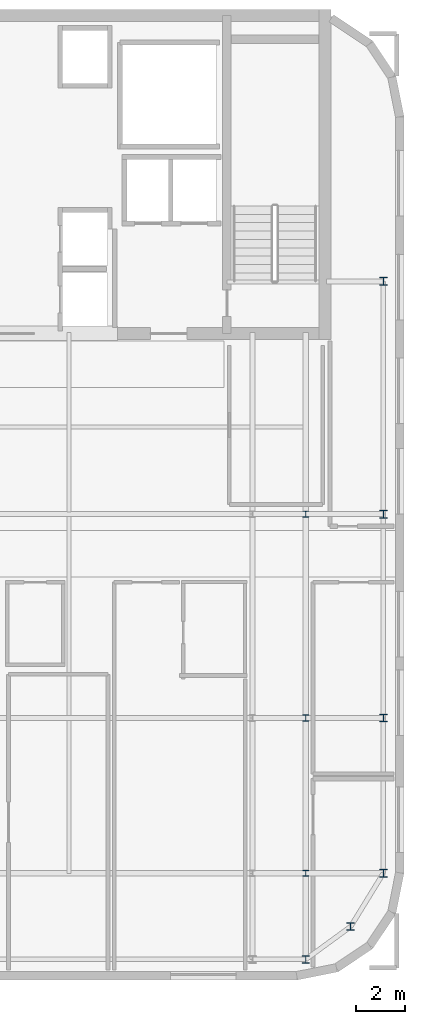
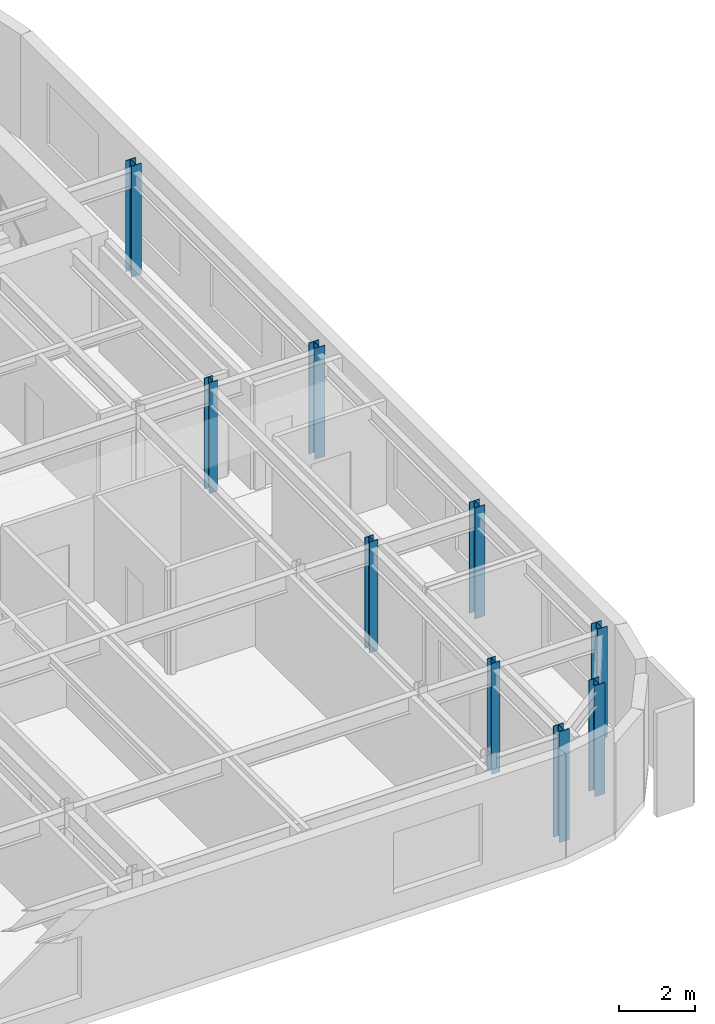
# One storey, part 3 of 12: 9 columns.
"""IFC4 building model written with IfcOpenShell, lengths in metres."""

from ifc_helpers import new_model, si_unit, direction, frame, origin, origin_2d, place, context, subcontext, project, spatial, i_section, extrude, source, transform, mapped, material, material_profile, profile_set, type_object, type_shapes, element, save


model = new_model("IFC4")

# Units and contexts
model_context = context("Model", 3, precision=1e-05, world=origin(), true_north=direction((0.0, 1.0)))
body_context = subcontext(model_context, "Body", "Model", "MODEL_VIEW")
ifc_project = project(units=[si_unit("LENGTHUNIT", "METRE"), si_unit("AREAUNIT", "SQUARE_METRE"), si_unit("VOLUMEUNIT", "CUBIC_METRE"), si_unit("PLANEANGLEUNIT", "RADIAN"), si_unit("MASSUNIT", "GRAM", prefix="KILO")], contexts=[model_context])

# Site, building, storey
site_placement = place(None, origin())
site = spatial("IfcSite", under=ifc_project, at=site_placement, CompositionType="ELEMENT")
building_placement = place(site_placement, origin())
building = spatial("IfcBuilding", under=site, at=building_placement, Name="Tolvann Quenvar Hotel", CompositionType="ELEMENT")
storey_placement = place(building_placement, frame((0.0, 0.0, 275.050048828125)))
storey = spatial("IfcBuildingStorey", under=building, at=storey_placement, Name="L73", CompositionType="ELEMENT", Elevation=275.050048828125)

# Columns
ifc_material = material(Name="Steel Grade 350", Category="steel")
ifc_material_profile_1 = material_profile(ifc_material, i_section(OverallWidth=0.306884765625, OverallDepth=0.31494140625, WebThickness=0.011962890625, FlangeThickness=0.018798828125, FilletRadius=0.0166015625, at=origin_2d()), Name="310UC118")
ifc_profile_set_1 = profile_set([ifc_material_profile_1], Name="Steel Grade 350")
column_type_1 = type_object("IfcColumnType", Name="COL_310UC118", PredefinedType="COLUMN", material=ifc_profile_set_1)
shared_shape_1 = source(origin(), body_context, "Body", "SweptSolid", [
    extrude(i_section(OverallWidth=0.306884765625, OverallDepth=0.31494140625, WebThickness=0.011962890625, FlangeThickness=0.018798828125, FilletRadius=0.0166015625, at=origin_2d()), origin(), (0.0, 0.0, 1.0), 3.550048828125),
])
type_shapes(column_type_1, [shared_shape_1])
for number, where, z_axis, x_axis, name in (
    (1, (34.949951171875, 6.050048828125, 0.0), (0.0, 0.0, 1.0), (1.0, 0.0, 0.0), "Column F2 (L73)"),
    (2, (36.800048828125, 7.39990234375, 0.0), (0.0, 0.0, 1.0), (1.0, 0.0, 0.0), "Column G2 (L73)"),
    (3, (38.14990234375, 9.60009765625, 0.0), (0.0, 0.0, 1.0), (1.0, 0.0, 0.0), "Column G3 (L73)"),
    (4, (38.14990234375, 16.0, 0.0), (0.0, 0.0, 1.0), (1.0, 0.0, 0.0), "Column G4 (L73)"),
    (5, (38.14990234375, 24.39990234375, 0.0), (0.0, 0.0, 1.0), (1.0, 0.0, 0.0), "Column G5 (L73)"),
    (6, (38.14990234375, 34.0, 0.0), (0.0, 0.0, 1.0), (1.0, 0.0, 0.0), "Column GD6 (L73)"),
):
    element("IfcColumn", number, at=place(storey_placement, frame(where, z_axis=z_axis, x_axis=x_axis)), inside=storey, type_object=column_type_1, Name=name, PredefinedType="COLUMN", context=body_context, shape_type="MappedRepresentation", body=[
        mapped(shared_shape_1, transform((0.0, 0.0, 0.0), x_axis=(1.0, 0.0, 0.0), y_axis=(0.0, 1.0, 0.0), z_axis=(0.0, 0.0, 1.0), scale=1.0)),
    ])
ifc_material_profile_2 = material_profile(ifc_material, i_section(OverallWidth=0.256103515625, OverallDepth=0.260009765625, WebThickness=0.010498046875, FlangeThickness=0.017333984375, FilletRadius=0.013916015625, at=origin_2d()), Name="250UC90")
ifc_profile_set_2 = profile_set([ifc_material_profile_2], Name="Steel Grade 350")
column_type_2 = type_object("IfcColumnType", Name="COL_250UC90", PredefinedType="COLUMN", material=ifc_profile_set_2)
shared_shape_2 = source(origin(), body_context, "Body", "SweptSolid", [
    extrude(i_section(OverallWidth=0.256103515625, OverallDepth=0.260009765625, WebThickness=0.010498046875, FlangeThickness=0.017333984375, FilletRadius=0.013916015625, at=origin_2d()), origin(), (0.0, 0.0, 1.0), 3.550048828125),
])
type_shapes(column_type_2, [shared_shape_2])
for number, where, z_axis, x_axis, name in (
    (7, (34.949951171875, 9.60009765625, 0.0), (0.0, 0.0, 1.0), (1.0, 0.0, 0.0), "Column F3 (L73)"),
    (8, (34.949951171875, 16.0, 0.0), (0.0, 0.0, 1.0), (1.0, 0.0, 0.0), "Column F4 (L73)"),
    (9, (34.949951171875, 24.39990234375, 0.0), (0.0, 0.0, 1.0), (1.0, 0.0, 0.0), "Column F5 (L73)"),
):
    element("IfcColumn", number, at=place(storey_placement, frame(where, z_axis=z_axis, x_axis=x_axis)), inside=storey, type_object=column_type_2, Name=name, PredefinedType="COLUMN", context=body_context, shape_type="MappedRepresentation", body=[
        mapped(shared_shape_2, transform((0.0, 0.0, 0.0), x_axis=(1.0, 0.0, 0.0), y_axis=(0.0, 1.0, 0.0), z_axis=(0.0, 0.0, 1.0), scale=1.0)),
    ])

save(model, "model.ifc")
